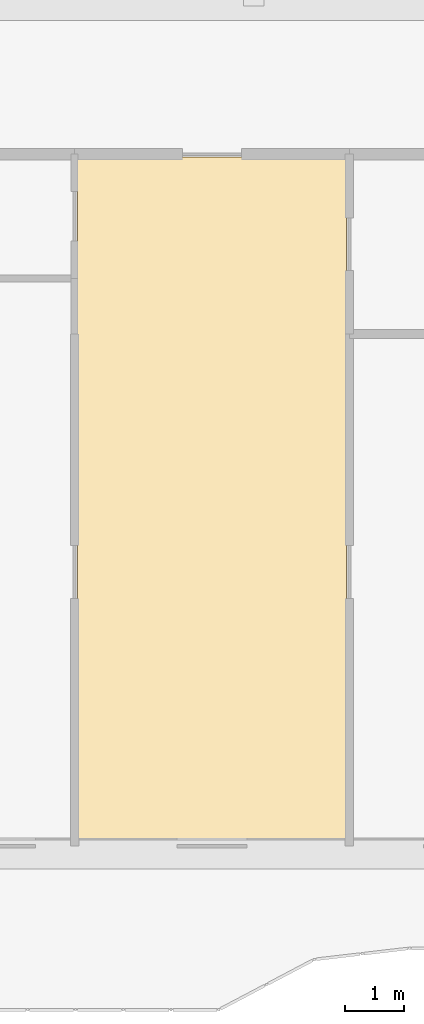
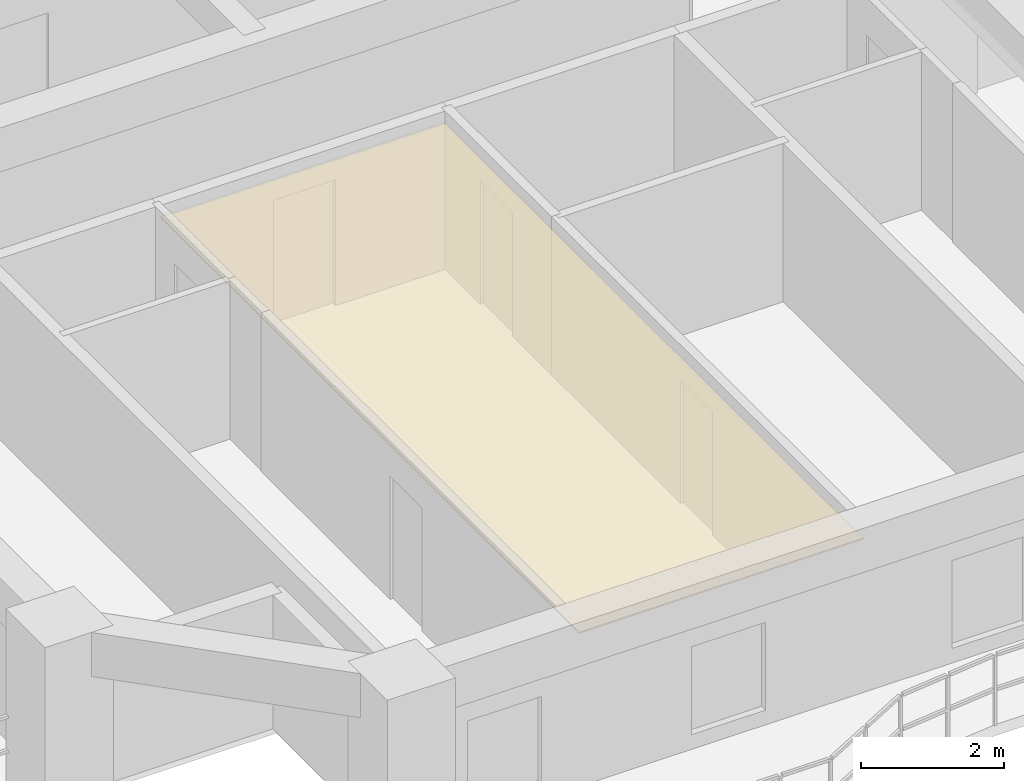
# One storey, part 10 of 15: 1 covering.
"""IFC4 building model written with IfcOpenShell, lengths in metres."""

from ifc_helpers import new_model, si_unit, direction, frame, origin, place, context, subcontext, project, spatial, polyline, outline, extrude, material, layer, layer_set, type_object, element, save


model = new_model("IFC4")

# Units and contexts
model_context = context("Model", 3, precision=1e-05, world=origin(), true_north=direction((0.0, 1.0)))
body_context = subcontext(model_context, "Body", "Model", "MODEL_VIEW")
ifc_project = project(units=[si_unit("LENGTHUNIT", "METRE"), si_unit("AREAUNIT", "SQUARE_METRE"), si_unit("VOLUMEUNIT", "CUBIC_METRE"), si_unit("PLANEANGLEUNIT", "RADIAN"), si_unit("MASSUNIT", "GRAM", prefix="KILO")], contexts=[model_context])

# Site, building, storey
site_placement = place(None, origin())
site = spatial("IfcSite", under=ifc_project, at=site_placement, CompositionType="ELEMENT")
building_placement = place(site_placement, origin())
building = spatial("IfcBuilding", under=site, at=building_placement, Name="Saelheon Loggia Tower", CompositionType="ELEMENT")
storey_placement = place(building_placement, frame((0.0, 0.0, 67.39990234375)))
storey = spatial("IfcBuildingStorey", under=building, at=storey_placement, Name="L21", CompositionType="ELEMENT", Elevation=67.39990234375)

# Covering
ifc_material = material(Name="Mineral-Fibre Acoustic Ceiling Board", Category="gypsum")
ifc_layer = layer(ifc_material, 0.02490234375)
ifc_layer_set = layer_set([ifc_layer], Name="Mineral-Fibre Acoustic Ceiling Board")
covering_type = type_object("IfcCoveringType", Name="Cov_Ceiling_Acoustic", PredefinedType="CEILING", material=ifc_layer_set)
covering_placement = place(storey_placement, frame((0.0, 0.0, 2.445068359375)))
element("IfcCovering", 1, at=covering_placement, inside=storey, type_object=covering_type, Name="L21 Acoustic Suspended Ceiling", PredefinedType="CEILING", context=body_context, shape_type="SweptSolid", body=[
    extrude(outline(polyline([(18.47998046875, 3.199951171875), (23.067138671875, 3.199951171875), (23.067138671875, 14.89990234375), (18.47998046875, 14.89990234375), (18.47998046875, 3.199951171875)])), origin(), (0.0, 0.0, 1.0), 0.025146484375),
])

save(model, "model.ifc")
